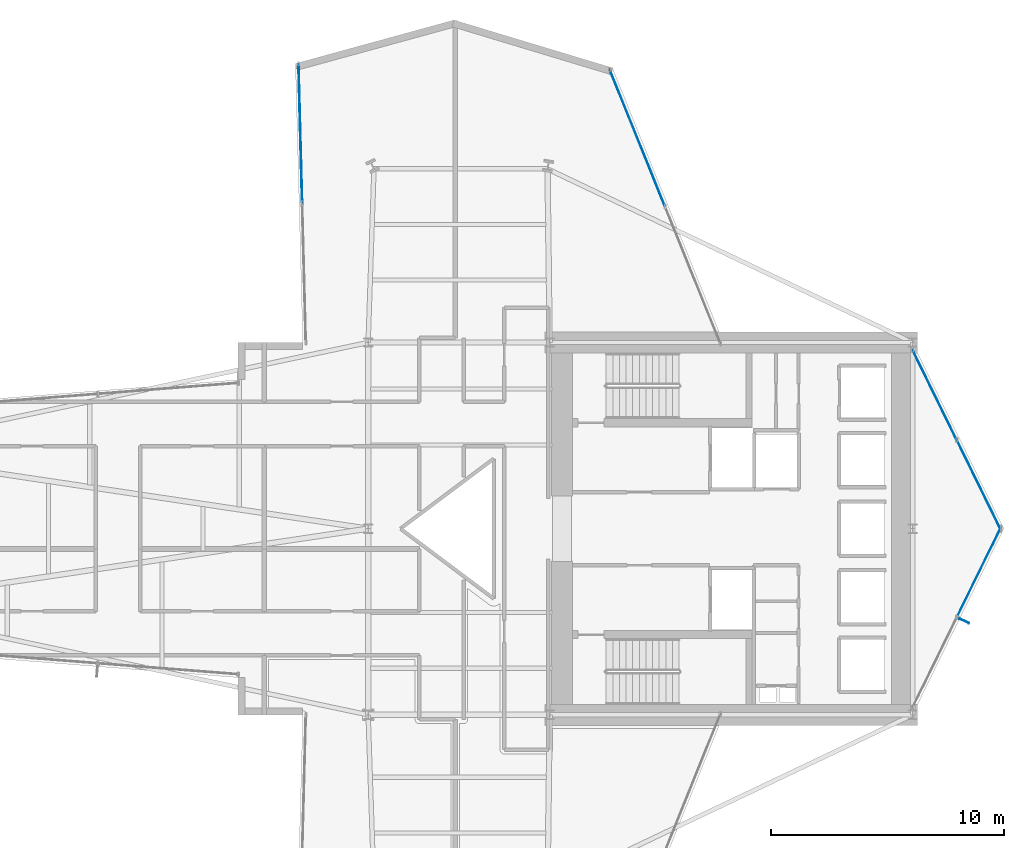
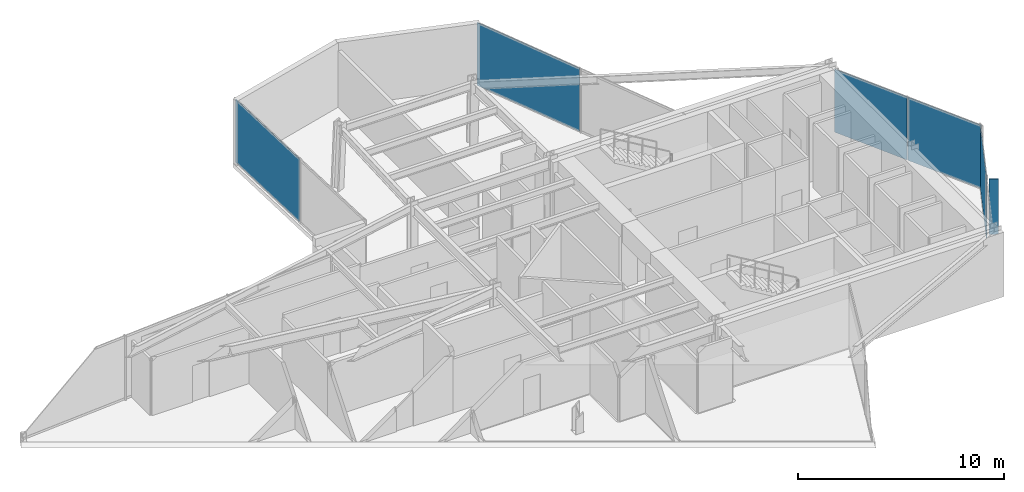
# One storey, part 26 of 31: 6 plates, 4 elements without a shape of their own.
"""IFC4 building model written with IfcOpenShell, lengths in metres."""

from ifc_helpers import new_model, si_unit, direction, frame, origin, origin_2d, place, context, subcontext, project, spatial, rectangle, extrude, material, layer, layer_set, type_object, element, aggregate, save


model = new_model("IFC4")

# Units and contexts
model_context = context("Model", 3, precision=1e-05, world=origin(), true_north=direction((0.0, 1.0)))
body_context = subcontext(model_context, "Body", "Model", "MODEL_VIEW")
ifc_project = project(units=[si_unit("LENGTHUNIT", "METRE"), si_unit("AREAUNIT", "SQUARE_METRE"), si_unit("VOLUMEUNIT", "CUBIC_METRE"), si_unit("PLANEANGLEUNIT", "RADIAN"), si_unit("MASSUNIT", "GRAM", prefix="KILO")], contexts=[model_context])

# Site, building, storey
site_placement = place(None, origin())
site = spatial("IfcSite", under=ifc_project, at=site_placement, CompositionType="ELEMENT")
building_placement = place(site_placement, origin())
building = spatial("IfcBuilding", under=site, at=building_placement, Name="Veymaron Broadcast Tower", CompositionType="ELEMENT")
storey_placement = place(building_placement, frame((0.0, 0.0, 70.199951171875)))
storey = spatial("IfcBuildingStorey", under=building, at=storey_placement, Name="L15", CompositionType="ELEMENT", Elevation=70.199951171875)

# Curtain wall, plate
ifc_material_1 = material(Name="Anodised aluminium AA 6063-T6 and laminated low-E dark glass", Category="aluminium")
ifc_layer_1 = layer(ifc_material_1, 0.179931640625)
ifc_layer_set_1 = layer_set([ifc_layer_1], Name="Anodised aluminium AA 6063-T6 and laminated low-E dark glass")
curtain_wall_type = type_object("IfcCurtainWallType", Name="CW-SYS-02", PredefinedType="NOTDEFINED", material=ifc_layer_set_1)
curtain_wall_1_placement = place(storey_placement, origin())
curtain_wall_1 = element("IfcCurtainWall", 1, at=curtain_wall_1_placement, inside=storey, type_object=curtain_wall_type, Name="L15 dark-glass curtain wall CW-L15-E2-1", PredefinedType="NOTDEFINED")
ifc_material_2 = material(Name="Double-silver solar-control dark glass IGU 32 mm", Category="glass")
ifc_layer_2 = layer(ifc_material_2, 0.031982421875)
ifc_layer_set_2 = layer_set([ifc_layer_2], Name="Double-silver solar-control dark glass IGU 32 mm")
plate_type_1 = type_object("IfcPlateType", Name="CW-PNL-02", PredefinedType="CURTAIN_PANEL", material=ifc_layer_set_2)
plate_1_placement = place(storey_placement, frame((57.450927734375, 22.125732421875, 0.0400390625), z_axis=(0.0, 0.0, 1.0), x_axis=(0.440644343304, 0.897681771406, 0.0)))
plate_1 = element("IfcPlate", 2, at=plate_1_placement, type_object=plate_type_1, Name="CW-L15-E2-1 unitised curtain panel 1", PredefinedType="CURTAIN_PANEL", context=body_context, shape_type="SweptSolid", body=[
    extrude(rectangle(XDim=4.253173828125, YDim=0.031982421875, at=origin_2d()), origin(), (0.0, 0.0, 1.0), 3.72998046875),
])
aggregate(curtain_wall_1, [plate_1])

# Curtain wall, plates
curtain_wall_2_placement = place(storey_placement, origin())
curtain_wall_2 = element("IfcCurtainWall", 3, at=curtain_wall_2_placement, inside=storey, type_object=curtain_wall_type, Name="L15 dark-glass curtain wall CW-L15-E3-1", PredefinedType="NOTDEFINED")
plate_2_placement = place(storey_placement, frame((57.450927734375, 25.874267578125, 0.0400390625), z_axis=(0.0, 0.0, 1.0), x_axis=(-0.440644343304, 0.897681771406, 0.0)))
plate_2 = element("IfcPlate", 4, at=plate_2_placement, type_object=plate_type_1, Name="CW-L15-E3-1 unitised curtain panel 0", PredefinedType="CURTAIN_PANEL", context=body_context, shape_type="SweptSolid", body=[
    extrude(rectangle(XDim=4.253173828125, YDim=0.031982421875, at=origin_2d()), origin(), (0.0, 0.0, 1.0), 3.72998046875),
])
plate_3_placement = place(storey_placement, frame((55.55029296875, 29.74609375, 0.0400390625), z_axis=(0.0, 0.0, 1.0), x_axis=(-0.440644343304, 0.897681771406, 0.0)))
plate_3 = element("IfcPlate", 5, at=plate_3_placement, type_object=plate_type_1, Name="CW-L15-E3-1 unitised curtain panel 1", PredefinedType="CURTAIN_PANEL", context=body_context, shape_type="SweptSolid", body=[
    extrude(rectangle(XDim=4.253173828125, YDim=0.031982421875, at=origin_2d()), origin(), (0.0, 0.0, 1.0), 3.72998046875),
])
aggregate(curtain_wall_2, [plate_2, plate_3])

# Curtain wall, plate
curtain_wall_3_placement = place(storey_placement, origin())
curtain_wall_3 = element("IfcCurtainWall", 6, at=curtain_wall_3_placement, inside=storey, type_object=curtain_wall_type, Name="L15 dark-glass curtain wall CW-L15-E5-1", PredefinedType="NOTDEFINED")
plate_4_placement = place(storey_placement, frame((42.77197265625, 40.79296875, 0.0400390625), z_axis=(0.0, 0.0, 1.0), x_axis=(-0.374703685828, 0.927144620772, 0.0)))
plate_4 = element("IfcPlate", 7, at=plate_4_placement, type_object=plate_type_1, Name="CW-L15-E5-1 unitised curtain panel 1", PredefinedType="CURTAIN_PANEL", context=body_context, shape_type="SweptSolid", body=[
    extrude(rectangle(XDim=6.30029296875, YDim=0.031982421875, at=origin_2d()), origin(), (0.0, 0.0, 1.0), 3.72998046875),
])
aggregate(curtain_wall_3, [plate_4])

curtain_wall_4_placement = place(storey_placement, origin())
curtain_wall_4 = element("IfcCurtainWall", 8, at=curtain_wall_4_placement, inside=storey, type_object=curtain_wall_type, Name="L15 dark-glass curtain wall CW-L15-E8-1", PredefinedType="NOTDEFINED")
plate_5_placement = place(storey_placement, frame((28.29052734375, 40.989501953125, 0.0400390625), z_axis=(0.0, 0.0, 1.0), x_axis=(0.026299079294, -0.999654119397, 0.0)))
plate_5 = element("IfcPlate", 9, at=plate_5_placement, type_object=plate_type_1, Name="CW-L15-E8-1 unitised curtain panel 0", PredefinedType="CURTAIN_PANEL", context=body_context, shape_type="SweptSolid", body=[
    extrude(rectangle(XDim=5.9326171875, YDim=0.031982421875, at=origin_2d()), origin(), (0.0, 0.0, 1.0), 3.72998046875),
])
aggregate(curtain_wall_4, [plate_5])

# Plate
ifc_material_3 = material(Name="Dark-anodised aluminium AA 6061-T6", Category="aluminium")
ifc_layer_3 = layer(ifc_material_3, 0.034912109375)
ifc_layer_set_3 = layer_set([ifc_layer_3], Name="Dark-anodised aluminium AA 6061-T6")
plate_type_2 = type_object("IfcPlateType", Name="FIN-CHEV-01", PredefinedType="USERDEFINED", material=ifc_layer_set_3)
plate_6_placement = place(storey_placement, frame((56.8193359375, 20.033447265625, 0.2666015625), z_axis=(0.0, 0.0, 1.0), x_axis=(0.897681771406, -0.440644343304, 0.0)))
element("IfcPlate", 10, at=plate_6_placement, inside=storey, type_object=plate_type_2, Name="CW-L15-E2-1 chevron fin 1", ObjectType="FIN", PredefinedType="USERDEFINED", context=body_context, shape_type="SweptSolid", body=[
    extrude(rectangle(XDim=0.449951171875, YDim=0.034912109375, at=origin_2d()), origin(), (0.0, 0.0, 1.0), 3.276611328125),
])

save(model, "model.ifc")
